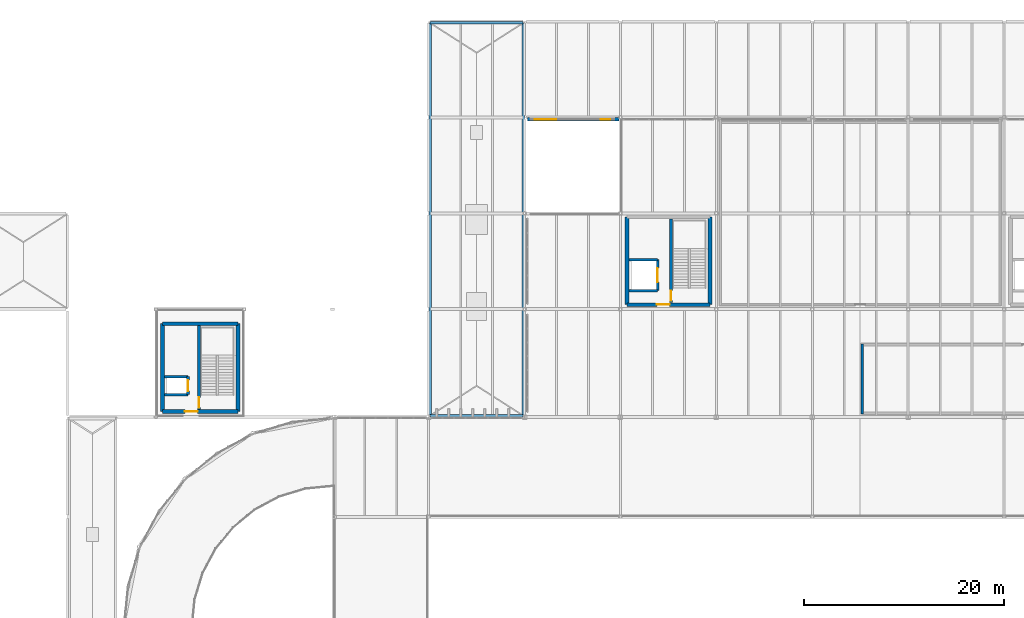
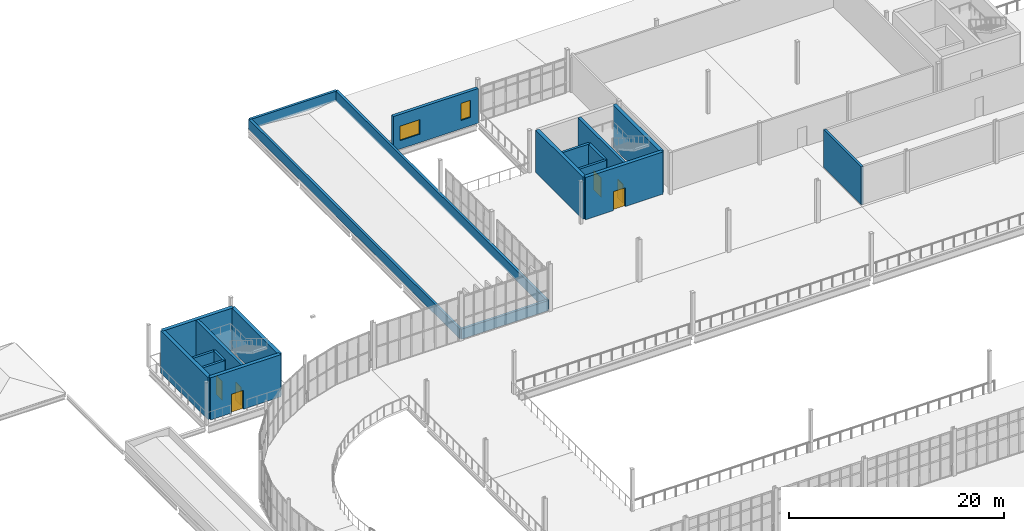
# One storey, part 94 of 112: 21 walls, 6 doors, 2 windows, 8 openings.
"""IFC4 building model written with IfcOpenShell, lengths in metres."""

from ifc_helpers import new_model, si_unit, direction, frame, frame_2d, origin, place, context, subcontext, project, spatial, rectangle, extrude, material, layer, layer_set, type_object, element, fill, save


model = new_model("IFC4")

# Units and contexts
model_context = context("Model", 3, precision=1e-05, world=origin(), true_north=direction((0.0, 1.0)))
body_context = subcontext(model_context, "Body", "Model", "MODEL_VIEW")
ifc_project = project(units=[si_unit("LENGTHUNIT", "METRE"), si_unit("AREAUNIT", "SQUARE_METRE"), si_unit("VOLUMEUNIT", "CUBIC_METRE"), si_unit("PLANEANGLEUNIT", "RADIAN"), si_unit("MASSUNIT", "GRAM", prefix="KILO")], contexts=[model_context])

# Site, building, storey
site_placement = place(None, origin())
site = spatial("IfcSite", under=ifc_project, at=site_placement, CompositionType="ELEMENT")
building_placement = place(site_placement, origin())
building = spatial("IfcBuilding", under=site, at=building_placement, Name="Yeouljin Market Hall", CompositionType="ELEMENT")
storey_placement = place(building_placement, frame((0.0, 0.0, 6.0)))
storey = spatial("IfcBuildingStorey", under=building, at=storey_placement, Name="L01", CompositionType="ELEMENT", Elevation=6.0)

# Wall
ifc_material_1 = material(Name="Insulated Cold-Store Panel Assembly")
ifc_layer_1 = layer(ifc_material_1, 0.239990234375)
ifc_layer_set_1 = layer_set([ifc_layer_1], Name="Insulated Cold-Store Panel Assembly")
wall_type_1 = type_object("IfcWallType", Name="Part_ColdStore_240", PredefinedType="PARTITIONING", material=ifc_layer_set_1)
wall_1_placement = place(storey_placement, frame((88.39990234375, 85.330078125, 0.0), z_axis=(0.0, 0.0, 1.0), x_axis=(0.0, -1.0, 0.0)))
element("IfcWall", 1, at=wall_1_placement, inside=storey, type_object=wall_type_1, Name="Interior partition PART-L01-0099", PredefinedType="PARTITIONING", context=body_context, shape_type="SweptSolid", body=[
    extrude(rectangle(XDim=7.010009765625, YDim=0.239990234375, at=frame_2d((3.5048828125, 0.0))), origin(), (0.0, 0.0, 1.0), 4.320068359375),
])

# Wall, opening, door
ifc_material_2 = material(Name="Concrete C35/45", Category="concrete")
ifc_layer_2 = layer(ifc_material_2, 0.260009765625)
ifc_layer_set_2 = layer_set([ifc_layer_2], Name="Concrete C35/45")
wall_type_2 = type_object("IfcWallType", Name="Wall_Compartment_260", PredefinedType="SHEAR", material=ifc_layer_set_2)
wall_2_placement = place(storey_placement, frame((20.905029296875, 80.25, 0.0), z_axis=(0.0, 0.0, 1.0), x_axis=(0.0, 1.0, 0.0)))
wall_2 = element("IfcWall", 2, at=wall_2_placement, inside=storey, type_object=wall_type_2, Name="Lift LP-02 hoistway front wall (L01)", PredefinedType="SHEAR", context=body_context, shape_type="SweptSolid", body=[
    extrude(rectangle(XDim=1.800048828125, YDim=0.260009765625, at=frame_2d((0.89990234375, 0.0))), origin(), (0.0, 0.0, 1.0), 4.800048828125),
])
opening_1_placement = place(wall_2_placement, frame((0.35009765625, 0.0, 0.0)))
opening_1 = element("IfcOpeningElement", 3, at=opening_1_placement, cuts=wall_2, Name="Opening LD-LP-02-L01", PredefinedType="OPENING", context=body_context, shape_type="SweptSolid", body=[
    extrude(rectangle(XDim=1.10009765625, YDim=2.14990234375, at=frame_2d((0.550048828125, 1.074951171875))), frame((0.0, 0.139892578125, 0.0), z_axis=(0.0, -1.0, 0.0), x_axis=(1.0, 0.0, 0.0)), (0.0, 0.0, 1.0), 0.280029296875),
])
ifc_material_3 = material(Name="Brushed Stainless Steel", Category="steel")
door_type_1 = type_object("IfcDoorType", Name="LD-110", OperationType="SLIDING_TO_LEFT", PredefinedType="DOOR", material=ifc_material_3)
door_1_placement = place(opening_1_placement, origin())
door_1 = element("IfcDoor", 4, at=door_1_placement, inside=storey, type_object=door_type_1, Name="Lift landing sliding door LD-LP-02-L01", OperationType="SLIDING_TO_RIGHT", OverallHeight=2.14990234375, OverallWidth=1.10009765625, PredefinedType="DOOR", context=body_context, shape_type="SweptSolid", body=[
    extrude(rectangle(XDim=1.10009765625, YDim=2.14990234375, at=frame_2d((0.550048828125, 1.074951171875))), frame((0.0, 0.02490234375, 0.0), z_axis=(0.0, -1.0, 0.0), x_axis=(1.0, 0.0, 0.0)), (0.0, 0.0, 1.0), 0.050048828125),
])
fill(opening_1, door_1)

# Walls
for number, where, z_axis, x_axis, name in (
    (5, (18.550048828125, 80.25, 0.0), (0.0, 0.0, 1.0), (1.0, 0.0, 0.0), "Lift LP-02 shaft cheek wall S (L01)"),
    (6, (18.550048828125, 82.050048828125, 0.0), (0.0, 0.0, 1.0), (1.0, 0.0, 0.0), "Lift LP-02 shaft cheek wall N (L01)"),
):
    element("IfcWall", number, at=place(storey_placement, frame(where, z_axis=z_axis, x_axis=x_axis)), inside=storey, type_object=wall_type_2, Name=name, PredefinedType="SHEAR", context=body_context, shape_type="SweptSolid", body=[
        extrude(rectangle(XDim=2.35498046875, YDim=0.260009765625, at=frame_2d((1.177490234375, 0.0))), origin(), (0.0, 0.0, 1.0), 4.800048828125),
    ])

# Wall, opening, door
wall_3_placement = place(storey_placement, frame((67.929931640625, 90.64990234375, 0.0), z_axis=(0.0, 0.0, 1.0), x_axis=(0.0, 1.0, 0.0)))
wall_3 = element("IfcWall", 7, at=wall_3_placement, inside=storey, type_object=wall_type_2, Name="Lift LG-01 hoistway front wall (L01)", PredefinedType="SHEAR", context=body_context, shape_type="SweptSolid", body=[
    extrude(rectangle(XDim=3.10009765625, YDim=0.260009765625, at=frame_2d((1.550048828125, 0.0))), origin(), (0.0, 0.0, 1.0), 4.800048828125),
])
opening_2_placement = place(wall_3_placement, frame((0.85009765625, 0.0, 0.0)))
opening_2 = element("IfcOpeningElement", 8, at=opening_2_placement, cuts=wall_3, Name="Opening LD-LG-01-L01", PredefinedType="OPENING", context=body_context, shape_type="SweptSolid", body=[
    extrude(rectangle(XDim=1.39990234375, YDim=2.25, at=frame_2d((0.699951171875, 1.125))), frame((0.0, 0.139892578125, 0.0), z_axis=(0.0, -1.0, 0.0), x_axis=(1.0, 0.0, 0.0)), (0.0, 0.0, 1.0), 0.280029296875),
])
ifc_material_4 = material(Name="Brushed Stainless Steel", Category="steel")
door_type_2 = type_object("IfcDoorType", Name="LD-140", OperationType="SLIDING_TO_RIGHT", PredefinedType="DOOR", material=ifc_material_4)
door_2_placement = place(opening_2_placement, origin())
door_2 = element("IfcDoor", 9, at=door_2_placement, inside=storey, type_object=door_type_2, Name="Lift landing sliding door LD-LG-01-L01", OperationType="SLIDING_TO_LEFT", OverallHeight=2.25, OverallWidth=1.39990234375, PredefinedType="DOOR", context=body_context, shape_type="SweptSolid", body=[
    extrude(rectangle(XDim=1.39990234375, YDim=2.25, at=frame_2d((0.699951171875, 1.125))), frame((0.0, 0.02490234375, 0.0), z_axis=(0.0, -1.0, 0.0), x_axis=(1.0, 0.0, 0.0)), (0.0, 0.0, 1.0), 0.050048828125),
])
fill(opening_2, door_2)

# Walls
for number, where, z_axis, x_axis, name in (
    (10, (65.050048828125, 90.64990234375, 0.0), (0.0, 0.0, 1.0), (1.0, 0.0, 0.0), "Lift LG-01 shaft cheek wall S (L01)"),
    (11, (65.050048828125, 93.75, 0.0), (0.0, 0.0, 1.0), (1.0, 0.0, 0.0), "Lift LG-01 shaft cheek wall N (L01)"),
):
    element("IfcWall", number, at=place(storey_placement, frame(where, z_axis=z_axis, x_axis=x_axis)), inside=storey, type_object=wall_type_2, Name=name, PredefinedType="SHEAR", context=body_context, shape_type="SweptSolid", body=[
        extrude(rectangle(XDim=2.8798828125, YDim=0.260009765625, at=frame_2d((1.43994140625, 0.0))), origin(), (0.0, 0.0, 1.0), 4.800048828125),
    ])

# Wall, opening, door
ifc_material_5 = material(Name="Concrete C35/45", Category="concrete")
ifc_layer_3 = layer(ifc_material_5, 0.3798828125)
ifc_layer_set_3 = layer_set([ifc_layer_3], Name="Concrete C35/45")
wall_type_3 = type_object("IfcWallType", Name="Wall_CoreShear_380", PredefinedType="SHEAR", material=ifc_layer_set_3)
wall_4_placement = place(storey_placement, frame((18.35009765625, 78.550048828125, 0.0), z_axis=(0.0, 0.0, 1.0), x_axis=(1.0, 0.0, 0.0)))
wall_4 = element("IfcWall", 12, at=wall_4_placement, inside=storey, type_object=wall_type_3, Name="Core C2 south shear wall (L01)", PredefinedType="SHEAR", context=body_context, shape_type="SweptSolid", body=[
    extrude(rectangle(XDim=7.5498046875, YDim=0.3798828125, at=frame_2d((3.77490234375, 0.0))), origin(), (0.0, 0.0, 1.0), 4.800048828125),
])
opening_3_placement = place(wall_4_placement, frame((2.25, 0.0, 0.0)))
opening_3 = element("IfcOpeningElement", 13, at=opening_3_placement, cuts=wall_4, Name="Opening FD-C2-L01-01", PredefinedType="OPENING", context=body_context, shape_type="SweptSolid", body=[
    extrude(rectangle(XDim=1.280029296875, YDim=2.14990234375, at=frame_2d((0.64013671875, 1.074951171875))), frame((0.0, 0.199951171875, 0.0), z_axis=(0.0, -1.0, 0.0), x_axis=(1.0, 0.0, 0.0)), (0.0, 0.0, 1.0), 0.39990234375),
])
ifc_material_6 = material(Name="Painted Fire-Rated Steel", Category="steel")
door_type_3 = type_object("IfcDoorType", Name="DT-FD128", OperationType="NOTDEFINED", PredefinedType="DOOR", material=ifc_material_6)
door_3_placement = place(opening_3_placement, origin())
door_3 = element("IfcDoor", 14, at=door_3_placement, inside=storey, type_object=door_type_3, Name="Core C2 lobby fire door (L01)", OperationType="SINGLE_SWING_LEFT", OverallHeight=2.14990234375, OverallWidth=1.280029296875, PredefinedType="DOOR", context=body_context, shape_type="SweptSolid", body=[
    extrude(rectangle(XDim=1.280029296875, YDim=2.14990234375, at=frame_2d((0.64013671875, 1.074951171875))), frame((0.0, 0.02490234375, 0.0), z_axis=(0.0, -1.0, 0.0), x_axis=(1.0, 0.0, 0.0)), (0.0, 0.0, 1.0), 0.050048828125),
])
fill(opening_3, door_3)

# Walls
wall_5_placement = place(storey_placement, frame((25.89990234375, 87.35009765625, 0.0), z_axis=(0.0, 0.0, 1.0), x_axis=(-1.0, 0.0, 0.0)))
element("IfcWall", 15, at=wall_5_placement, inside=storey, type_object=wall_type_3, Name="Core C2 north shear wall (L01)", PredefinedType="SHEAR", context=body_context, shape_type="SweptSolid", body=[
    extrude(rectangle(XDim=7.5498046875, YDim=0.3798828125, at=frame_2d((3.77490234375, 0.0))), origin(), (0.0, 0.0, 1.0), 4.800048828125),
])
for number, where, z_axis, x_axis, name in (
    (16, (18.35009765625, 87.35009765625, 0.0), (0.0, 0.0, 1.0), (0.0, -1.0, 0.0), "Core C2 west shear wall (L01)"),
    (17, (25.89990234375, 78.550048828125, 0.0), (0.0, 0.0, 1.0), (0.0, 1.0, 0.0), "Core C2 east shear wall (L01)"),
):
    element("IfcWall", number, at=place(storey_placement, frame(where, z_axis=z_axis, x_axis=x_axis)), inside=storey, type_object=wall_type_3, Name=name, PredefinedType="SHEAR", context=body_context, shape_type="SweptSolid", body=[
        extrude(rectangle(XDim=8.800048828125, YDim=0.3798828125, at=frame_2d((4.39990234375, 0.0))), origin(), (0.0, 0.0, 1.0), 4.800048828125),
    ])

# Wall, opening, door
wall_6_placement = place(storey_placement, frame((64.85009765625, 89.25, 0.0), z_axis=(0.0, 0.0, 1.0), x_axis=(1.0, 0.0, 0.0)))
wall_6 = element("IfcWall", 18, at=wall_6_placement, inside=storey, type_object=wall_type_3, Name="Core C5 south shear wall (L01)", PredefinedType="SHEAR", context=body_context, shape_type="SweptSolid", body=[
    extrude(rectangle(XDim=8.2998046875, YDim=0.3798828125, at=frame_2d((4.14990234375, 0.0))), origin(), (0.0, 0.0, 1.0), 4.800048828125),
])
opening_4_placement = place(wall_6_placement, frame((3.0, 0.0, 0.0)))
opening_4 = element("IfcOpeningElement", 19, at=opening_4_placement, cuts=wall_6, Name="Opening FD-C5-L01-01", PredefinedType="OPENING", context=body_context, shape_type="SweptSolid", body=[
    extrude(rectangle(XDim=1.280029296875, YDim=2.14990234375, at=frame_2d((0.64013671875, 1.074951171875))), frame((0.0, 0.199951171875, 0.0), z_axis=(0.0, -1.0, 0.0), x_axis=(1.0, 0.0, 0.0)), (0.0, 0.0, 1.0), 0.39990234375),
])
door_4_placement = place(opening_4_placement, origin())
door_4 = element("IfcDoor", 20, at=door_4_placement, inside=storey, type_object=door_type_3, Name="Core C5 lobby fire door (L01)", OperationType="SINGLE_SWING_LEFT", OverallHeight=2.14990234375, OverallWidth=1.280029296875, PredefinedType="DOOR", context=body_context, shape_type="SweptSolid", body=[
    extrude(rectangle(XDim=1.280029296875, YDim=2.14990234375, at=frame_2d((0.64013671875, 1.074951171875))), frame((0.0, 0.02490234375, 0.0), z_axis=(0.0, -1.0, 0.0), x_axis=(1.0, 0.0, 0.0)), (0.0, 0.0, 1.0), 0.050048828125),
])
fill(opening_4, door_4)

# Walls
for number, where, z_axis, x_axis, name in (
    (21, (64.85009765625, 98.050048828125, 0.0), (0.0, 0.0, 1.0), (0.0, -1.0, 0.0), "Core C5 west shear wall (L01)"),
    (22, (73.14990234375, 89.25, 0.0), (0.0, 0.0, 1.0), (0.0, 1.0, 0.0), "Core C5 east shear wall (L01)"),
):
    element("IfcWall", number, at=place(storey_placement, frame(where, z_axis=z_axis, x_axis=x_axis)), inside=storey, type_object=wall_type_3, Name=name, PredefinedType="SHEAR", context=body_context, shape_type="SweptSolid", body=[
        extrude(rectangle(XDim=8.800048828125, YDim=0.3798828125, at=frame_2d((4.39990234375, 0.0))), origin(), (0.0, 0.0, 1.0), 4.800048828125),
    ])

# Wall, openings, windows
ifc_material_7 = material(Name="Clinker Brick Masonry F2-S2", Category="masonry")
ifc_layer_4 = layer(ifc_material_7, 0.330078125)
ifc_layer_set_4 = layer_set([ifc_layer_4], Name="Clinker Brick Masonry F2-S2")
wall_type_4 = type_object("IfcWallType", Name="Wall_Ext_ClinkerCavity_330", PredefinedType="SOLIDWALL", material=ifc_layer_set_4)
wall_7_placement = place(storey_placement, frame((54.89990234375, 107.800048828125, 0.0), z_axis=(0.0, 0.0, 1.0), x_axis=(1.0, 0.0, 0.0)))
wall_7 = element("IfcWall", 23, at=wall_7_placement, inside=storey, type_object=wall_type_4, Name="Exterior wall WE-L01-B17", PredefinedType="SOLIDWALL", context=body_context, shape_type="SweptSolid", body=[
    extrude(rectangle(XDim=9.14404296875, YDim=0.330078125, at=frame_2d((4.572021484375, 0.0))), origin(), (0.0, 0.0, 1.0), 3.949951171875),
])
opening_5_placement = place(wall_7_placement, frame((0.699951171875, 0.0, 0.949951171875)))
opening_5 = element("IfcOpeningElement", 24, at=opening_5_placement, cuts=wall_7, Name="Opening WN-45", PredefinedType="OPENING", context=body_context, shape_type="SweptSolid", body=[
    extrude(rectangle(XDim=2.14990234375, YDim=1.64990234375, at=frame_2d((1.074951171875, 0.824951171875))), frame((0.0, 0.175048828125, 0.0), z_axis=(0.0, -1.0, 0.0), x_axis=(1.0, 0.0, 0.0)), (0.0, 0.0, 1.0), 0.35009765625),
])
opening_6_placement = place(wall_7_placement, frame((7.300048828125, 0.0, 0.949951171875)))
opening_6 = element("IfcOpeningElement", 25, at=opening_6_placement, cuts=wall_7, Name="Opening WN-47", PredefinedType="OPENING", context=body_context, shape_type="SweptSolid", body=[
    extrude(rectangle(XDim=1.0, YDim=1.949951171875, at=frame_2d((0.5, 0.97509765625))), frame((0.0, 0.175048828125, 0.0), z_axis=(0.0, -1.0, 0.0), x_axis=(1.0, 0.0, 0.0)), (0.0, 0.0, 1.0), 0.35009765625),
])
ifc_material_8 = material(Name="Low-E Insulated Glass", Category="glass")
window_type_1 = type_object("IfcWindowType", Name="Win_Ladder_1000x1950", PartitioningType="DOUBLE_PANEL_HORIZONTAL", PredefinedType="WINDOW", material=ifc_material_8)
window_1_placement = place(opening_6_placement, origin())
window_1 = element("IfcWindow", 26, at=window_1_placement, inside=storey, type_object=window_type_1, Name="Exterior window WIN-L01-B17B", OverallHeight=1.949951171875, OverallWidth=1.0, PartitioningType="SINGLE_PANEL", PredefinedType="WINDOW", context=body_context, shape_type="SweptSolid", body=[
    extrude(rectangle(XDim=1.0, YDim=1.949951171875, at=frame_2d((0.5, 0.97509765625))), frame((0.0, 0.030029296875, 0.0), z_axis=(0.0, -1.0, 0.0), x_axis=(1.0, 0.0, 0.0)), (0.0, 0.0, 1.0), 0.06005859375),
])
fill(opening_6, window_1)
ifc_material_9 = material(Name="Low-E Insulated Glass", Category="glass")
window_type_2 = type_object("IfcWindowType", Name="Win_Ladder_2150x1650", PartitioningType="TRIPLE_PANEL_VERTICAL", PredefinedType="WINDOW", material=ifc_material_9)
window_2_placement = place(opening_5_placement, origin())
window_2 = element("IfcWindow", 27, at=window_2_placement, inside=storey, type_object=window_type_2, Name="Exterior window WIN-L01-B17A", OverallHeight=1.64990234375, OverallWidth=2.14990234375, PartitioningType="SINGLE_PANEL", PredefinedType="WINDOW", context=body_context, shape_type="SweptSolid", body=[
    extrude(rectangle(XDim=2.14990234375, YDim=1.64990234375, at=frame_2d((1.074951171875, 0.824951171875))), frame((0.0, 0.030029296875, 0.0), z_axis=(0.0, -1.0, 0.0), x_axis=(1.0, 0.0, 0.0)), (0.0, 0.0, 1.0), 0.06005859375),
])
fill(opening_5, window_2)

# Walls
ifc_material_10 = material(Name="Pocheon Granite Stone", Category="masonry")
ifc_layer_5 = layer(ifc_material_10, 0.260009765625)
ifc_layer_set_5 = layer_set([ifc_layer_5], Name="Pocheon Granite Stone")
wall_type_5 = type_object("IfcWallType", Name="Wall_Parapet_Granite_260", PredefinedType="PARAPET", material=ifc_layer_set_5)
wall_8_placement = place(storey_placement, frame((45.139892578125, 78.139892578125, 0.010009765625), z_axis=(0.0, 0.0, 1.0), x_axis=(1.0, 0.0, 0.0)))
element("IfcWall", 28, at=wall_8_placement, inside=storey, type_object=wall_type_5, Name="Roof parapet RSLB-V4-L01W-1", PredefinedType="PARAPET", context=body_context, shape_type="SweptSolid", body=[
    extrude(rectangle(XDim=9.320068359375, YDim=0.260009765625, at=frame_2d((4.66015625, 0.0))), origin(), (0.0, 0.0, 1.0), 1.14990234375),
])
wall_9_placement = place(storey_placement, frame((54.4599609375, 78.139892578125, 0.010009765625), z_axis=(0.0, 0.0, 1.0), x_axis=(0.0, 1.0, 0.0)))
element("IfcWall", 29, at=wall_9_placement, inside=storey, type_object=wall_type_5, Name="Roof parapet RSLB-V4-L01W-2", PredefinedType="PARAPET", context=body_context, shape_type="SweptSolid", body=[
    extrude(rectangle(XDim=39.320068359375, YDim=0.260009765625, at=frame_2d((19.66015625, 0.0))), origin(), (0.0, 0.0, 1.0), 1.14990234375),
])
wall_10_placement = place(storey_placement, frame((54.4599609375, 117.4599609375, 0.010009765625), z_axis=(0.0, 0.0, 1.0), x_axis=(-1.0, 0.0, 0.0)))
element("IfcWall", 30, at=wall_10_placement, inside=storey, type_object=wall_type_5, Name="Roof parapet RSLB-V4-L01W-3", PredefinedType="PARAPET", context=body_context, shape_type="SweptSolid", body=[
    extrude(rectangle(XDim=9.320068359375, YDim=0.260009765625, at=frame_2d((4.66015625, 0.0))), origin(), (0.0, 0.0, 1.0), 1.14990234375),
])
wall_11_placement = place(storey_placement, frame((45.139892578125, 117.4599609375, 0.010009765625), z_axis=(0.0, 0.0, 1.0), x_axis=(0.0, -1.0, 0.0)))
element("IfcWall", 31, at=wall_11_placement, inside=storey, type_object=wall_type_5, Name="Roof parapet RSLB-V4-L01W-4", PredefinedType="PARAPET", context=body_context, shape_type="SweptSolid", body=[
    extrude(rectangle(XDim=39.320068359375, YDim=0.260009765625, at=frame_2d((19.66015625, 0.0))), origin(), (0.0, 0.0, 1.0), 1.14990234375),
])

# Wall, opening, door
ifc_material_11 = material(Name="Concrete C35/45", Category="concrete")
ifc_layer_6 = layer(ifc_material_11, 0.300048828125)
ifc_layer_set_6 = layer_set([ifc_layer_6], Name="Concrete C35/45")
wall_type_6 = type_object("IfcWallType", Name="Wall_ShaftShear_300", PredefinedType="SHEAR", material=ifc_layer_set_6)
wall_12_placement = place(storey_placement, frame((22.0, 78.75, 0.0), z_axis=(0.0, 0.0, 1.0), x_axis=(0.0, 1.0, 0.0)))
wall_12 = element("IfcWall", 32, at=wall_12_placement, inside=storey, type_object=wall_type_6, Name="Core C2 stairwell divider wall (L01)", PredefinedType="SHEAR", context=body_context, shape_type="SweptSolid", body=[
    extrude(rectangle(XDim=8.39990234375, YDim=0.300048828125, at=frame_2d((4.199951171875, 0.0))), origin(), (0.0, 0.0, 1.0), 4.800048828125),
])
opening_7_placement = place(wall_12_placement, frame((0.199951171875, 0.0, 0.0)))
opening_7 = element("IfcOpeningElement", 33, at=opening_7_placement, cuts=wall_12, Name="Opening SD-C2-L01", PredefinedType="OPENING", context=body_context, shape_type="SweptSolid", body=[
    extrude(rectangle(XDim=1.02001953125, YDim=2.10009765625, at=frame_2d((0.510009765625, 1.050048828125))), frame((0.0, 0.159912109375, 0.0), z_axis=(0.0, -1.0, 0.0), x_axis=(1.0, 0.0, 0.0)), (0.0, 0.0, 1.0), 0.320068359375),
])
ifc_material_12 = material(Name="Painted Fire-Rated Steel", Category="steel")
door_type_4 = type_object("IfcDoorType", Name="DT-FD102", OperationType="NOTDEFINED", PredefinedType="DOOR", material=ifc_material_12)
door_5_placement = place(opening_7_placement, origin())
door_5 = element("IfcDoor", 34, at=door_5_placement, inside=storey, type_object=door_type_4, Name="Core C2 exit stair door (L01)", OperationType="SINGLE_SWING_RIGHT", OverallHeight=2.10009765625, OverallWidth=1.02001953125, PredefinedType="DOOR", context=body_context, shape_type="SweptSolid", body=[
    extrude(rectangle(XDim=1.02001953125, YDim=2.10009765625, at=frame_2d((0.510009765625, 1.050048828125))), frame((0.0, 0.02490234375, 0.0), z_axis=(0.0, -1.0, 0.0), x_axis=(1.0, 0.0, 0.0)), (0.0, 0.0, 1.0), 0.050048828125),
])
fill(opening_7, door_5)

wall_13_placement = place(storey_placement, frame((69.25, 89.449951171875, 0.0), z_axis=(0.0, 0.0, 1.0), x_axis=(0.0, 1.0, 0.0)))
wall_13 = element("IfcWall", 35, at=wall_13_placement, inside=storey, type_object=wall_type_6, Name="Core C5 stairwell divider wall (L01)", PredefinedType="SHEAR", context=body_context, shape_type="SweptSolid", body=[
    extrude(rectangle(XDim=8.400146484375, YDim=0.300048828125, at=frame_2d((4.2001953125, 0.0))), origin(), (0.0, 0.0, 1.0), 4.800048828125),
])
opening_8_placement = place(wall_13_placement, frame((0.199951171875, 0.0, 0.0)))
opening_8 = element("IfcOpeningElement", 36, at=opening_8_placement, cuts=wall_13, Name="Opening SD-C5-L01", PredefinedType="OPENING", context=body_context, shape_type="SweptSolid", body=[
    extrude(rectangle(XDim=1.02001953125, YDim=2.10009765625, at=frame_2d((0.510009765625, 1.050048828125))), frame((0.0, 0.159912109375, 0.0), z_axis=(0.0, -1.0, 0.0), x_axis=(1.0, 0.0, 0.0)), (0.0, 0.0, 1.0), 0.320068359375),
])
door_6_placement = place(opening_8_placement, origin())
door_6 = element("IfcDoor", 37, at=door_6_placement, inside=storey, type_object=door_type_4, Name="Core C5 exit stair door (L01)", OperationType="SINGLE_SWING_RIGHT", OverallHeight=2.10009765625, OverallWidth=1.02001953125, PredefinedType="DOOR", context=body_context, shape_type="SweptSolid", body=[
    extrude(rectangle(XDim=1.02001953125, YDim=2.10009765625, at=frame_2d((0.510009765625, 1.050048828125))), frame((0.0, 0.02490234375, 0.0), z_axis=(0.0, -1.0, 0.0), x_axis=(1.0, 0.0, 0.0)), (0.0, 0.0, 1.0), 0.050048828125),
])
fill(opening_8, door_6)

save(model, "model.ifc")
